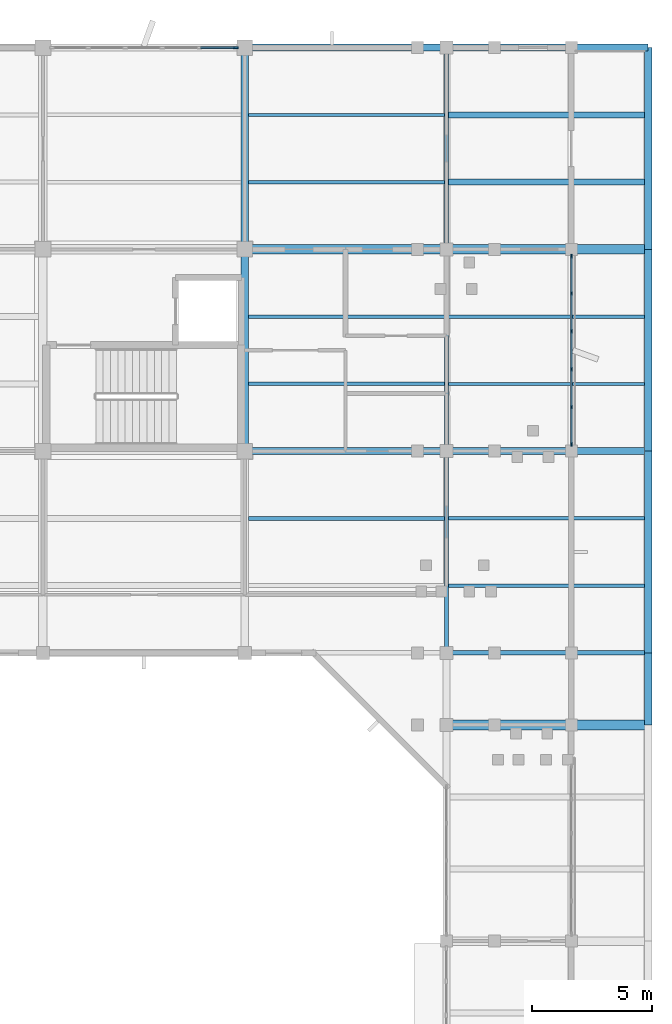
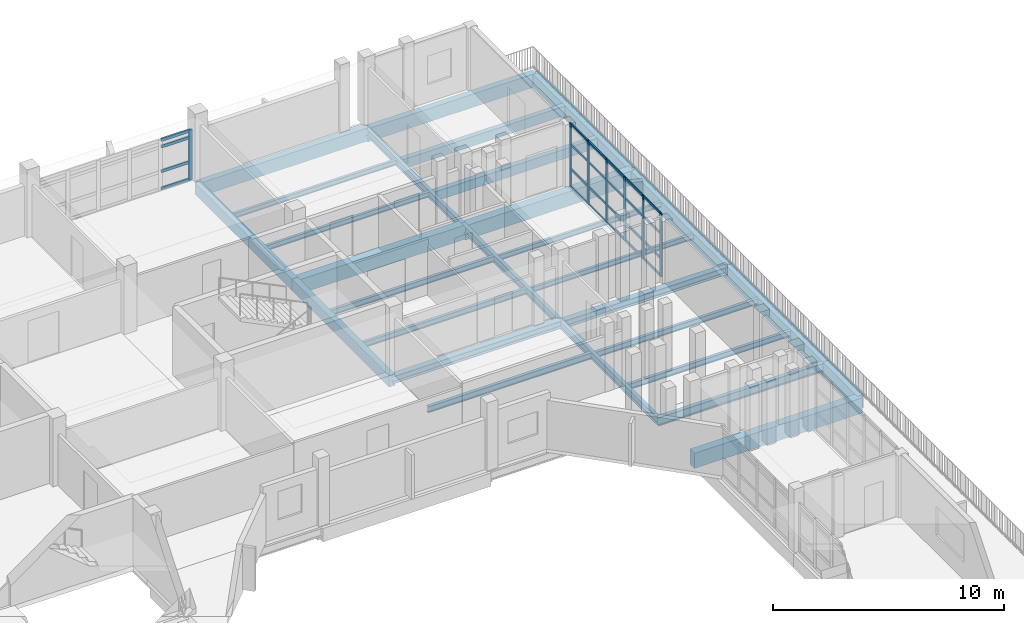
# One storey, part 22 of 51: 31 members, 28 beams, 2 elements without a shape of their own.
"""IFC4 building model written with IfcOpenShell, lengths in metres."""

from ifc_helpers import new_model, si_unit, direction, frame, origin, origin_2d, place, context, subcontext, project, spatial, rectangle, i_section, extrude, material, material_profile, profile_set, type_object, element, aggregate, save


model = new_model("IFC4")

# Units and contexts
model_context = context("Model", 3, precision=1e-05, world=origin(), true_north=direction((0.0, 1.0)))
body_context = subcontext(model_context, "Body", "Model", "MODEL_VIEW")
ifc_project = project(units=[si_unit("LENGTHUNIT", "METRE"), si_unit("AREAUNIT", "SQUARE_METRE"), si_unit("VOLUMEUNIT", "CUBIC_METRE"), si_unit("PLANEANGLEUNIT", "RADIAN"), si_unit("MASSUNIT", "GRAM", prefix="KILO")], contexts=[model_context])

# Site, building, storey
site_placement = place(None, origin())
site = spatial("IfcSite", under=ifc_project, at=site_placement, CompositionType="ELEMENT")
building_placement = place(site_placement, origin())
building = spatial("IfcBuilding", under=site, at=building_placement, Name="Vanh Quang Courtyard School", CompositionType="ELEMENT")
storey_placement = place(building_placement, frame((0.0, 0.0, 11.39990234375)))
storey = spatial("IfcBuildingStorey", under=building, at=storey_placement, Name="L03", CompositionType="ELEMENT", Elevation=11.39990234375)

# Beams
ifc_material_1 = material(Name="Concrete C35/45", Category="concrete")
ifc_material_profile_1 = material_profile(ifc_material_1, rectangle(XDim=0.300048828125, YDim=0.60009765625, at=origin_2d()), Name="RC-BM 300x600")
ifc_profile_set_1 = profile_set([ifc_material_profile_1], Name="Concrete C35/45")
beam_type_1 = type_object("IfcBeamType", Name="BM-RC-300x600", PredefinedType="BEAM", material=ifc_profile_set_1)
beam_1_placement = place(storey_placement, frame((102.60009765625, 79.800048828125, -0.559814453125), z_axis=(0.0, 1.0, 0.0), x_axis=(-1.0, 0.0, 0.0)))
element("IfcBeam", 1, at=beam_1_placement, inside=storey, type_object=beam_type_1, Name="Beam B-06 (L03)", PredefinedType="BEAM", context=body_context, shape_type="SweptSolid", body=[
    extrude(rectangle(XDim=0.300048828125, YDim=0.60009765625, at=origin_2d()), origin(), (0.0, 0.0, 1.0), 8.39990234375),
])
beam_2_placement = place(storey_placement, frame((102.60009765625, 88.199951171875, -0.559814453125), z_axis=(0.0, 1.0, 0.0), x_axis=(-1.0, 0.0, 0.0)))
element("IfcBeam", 2, at=beam_2_placement, inside=storey, type_object=beam_type_1, Name="Beam B-06 (L03)", PredefinedType="BEAM", context=body_context, shape_type="SweptSolid", body=[
    extrude(rectangle(XDim=0.300048828125, YDim=0.60009765625, at=origin_2d()), origin(), (0.0, 0.0, 1.0), 8.400146484375),
])
ifc_material_profile_2 = material_profile(ifc_material_1, rectangle(XDim=0.39990234375, YDim=0.75, at=origin_2d()), Name="RC-BM 400x750")
ifc_profile_set_2 = profile_set([ifc_material_profile_2], Name="Concrete C35/45")
beam_type_2 = type_object("IfcBeamType", Name="BM-RC-400x750", PredefinedType="BEAM", material=ifc_profile_set_2)
for number, where, z_axis, x_axis, name in (
    (3, (102.60009765625, 88.199951171875, -0.635009765625), (1.0, 0.0, 0.0), (0.0, 1.0, 0.0), "Beam B-03 (L03)"),
    (4, (111.0, 88.199951171875, -0.69482421875), (1.0, 0.0, 0.0), (0.0, 1.0, 0.0), "Beam B-03 (L03)"),
):
    element("IfcBeam", number, at=place(storey_placement, frame(where, z_axis=z_axis, x_axis=x_axis)), inside=storey, type_object=beam_type_2, Name=name, PredefinedType="BEAM", context=body_context, shape_type="SweptSolid", body=[
        extrude(rectangle(XDim=0.39990234375, YDim=0.75, at=origin_2d()), origin(), (0.0, 0.0, 1.0), 8.39990234375),
    ])
ifc_material_profile_3 = material_profile(ifc_material_1, rectangle(XDim=0.39990234375, YDim=0.800048828125, at=origin_2d()), Name="RC-BM 400x800")
ifc_profile_set_3 = profile_set([ifc_material_profile_3], Name="Concrete C35/45")
beam_type_3 = type_object("IfcBeamType", Name="BM-RC-400x800", PredefinedType="BEAM", material=ifc_profile_set_3)
beam_3_placement = place(storey_placement, frame((111.0, 68.39990234375, -0.719970703125), z_axis=(1.0, 0.0, 0.0), x_axis=(0.0, 1.0, 0.0)))
element("IfcBeam", 5, at=beam_3_placement, inside=storey, type_object=beam_type_3, Name="Beam B-02 (L03)", PredefinedType="BEAM", context=body_context, shape_type="SweptSolid", body=[
    extrude(rectangle(XDim=0.39990234375, YDim=0.800048828125, at=origin_2d()), origin(), (0.0, 0.0, 1.0), 8.39990234375),
])
ifc_material_profile_4 = material_profile(ifc_material_1, rectangle(XDim=0.300048828125, YDim=0.699951171875, at=origin_2d()), Name="RC-SP 300x700")
ifc_profile_set_4 = profile_set([ifc_material_profile_4], Name="Concrete C35/45")
beam_type_4 = type_object("IfcBeamType", Name="BM-SP-300x700", PredefinedType="SPANDREL", material=ifc_profile_set_4)
for number, where, z_axis, x_axis, name in (
    (6, (102.60009765625, 96.60009765625, -0.60986328125), (1.0, 0.0, 0.0), (0.0, 1.0, 0.0), "Beam BS-01 (L03)"),
    (7, (111.0, 96.60009765625, -0.669921875), (1.0, 0.0, 0.0), (0.0, 1.0, 0.0), "Beam BS-01 (L03)"),
):
    element("IfcBeam", number, at=place(storey_placement, frame(where, z_axis=z_axis, x_axis=x_axis)), inside=storey, type_object=beam_type_4, Name=name, PredefinedType="SPANDREL", context=body_context, shape_type="SweptSolid", body=[
        extrude(rectangle(XDim=0.300048828125, YDim=0.699951171875, at=origin_2d()), origin(), (0.0, 0.0, 1.0), 8.39990234375),
    ])
beam_4_placement = place(storey_placement, frame((119.39990234375, 68.39990234375, -0.669921875), z_axis=(0.0, 1.0, 0.0), x_axis=(-1.0, 0.0, 0.0)))
element("IfcBeam", 8, at=beam_4_placement, inside=storey, type_object=beam_type_4, Name="Beam BS-01 (L03)", PredefinedType="SPANDREL", context=body_context, shape_type="SweptSolid", body=[
    extrude(rectangle(XDim=0.300048828125, YDim=0.699951171875, at=origin_2d()), origin(), (0.0, 0.0, 1.0), 3.0),
])
beam_5_placement = place(storey_placement, frame((119.39990234375, 71.39990234375, -0.669921875), z_axis=(0.0, 1.0, 0.0), x_axis=(-1.0, 0.0, 0.0)))
element("IfcBeam", 9, at=beam_5_placement, inside=storey, type_object=beam_type_4, Name="Beam BS-01 (L03)", PredefinedType="SPANDREL", context=body_context, shape_type="SweptSolid", body=[
    extrude(rectangle(XDim=0.300048828125, YDim=0.699951171875, at=origin_2d()), origin(), (0.0, 0.0, 1.0), 8.400146484375),
])
beam_6_placement = place(storey_placement, frame((119.39990234375, 79.800048828125, -0.669921875), z_axis=(0.0, 1.0, 0.0), x_axis=(-1.0, 0.0, 0.0)))
element("IfcBeam", 10, at=beam_6_placement, inside=storey, type_object=beam_type_4, Name="Beam BS-01 (L03)", PredefinedType="SPANDREL", context=body_context, shape_type="SweptSolid", body=[
    extrude(rectangle(XDim=0.300048828125, YDim=0.699951171875, at=origin_2d()), origin(), (0.0, 0.0, 1.0), 8.39990234375),
])
beam_7_placement = place(storey_placement, frame((119.39990234375, 88.199951171875, -0.669921875), z_axis=(0.0, 1.0, 0.0), x_axis=(-1.0, 0.0, 0.0)))
element("IfcBeam", 11, at=beam_7_placement, inside=storey, type_object=beam_type_4, Name="Beam BS-01 (L03)", PredefinedType="SPANDREL", context=body_context, shape_type="SweptSolid", body=[
    extrude(rectangle(XDim=0.300048828125, YDim=0.699951171875, at=origin_2d()), origin(), (0.0, 0.0, 1.0), 8.400146484375),
])
ifc_material_2 = material(Name="Structural steel EN 10025-2 S355J2", Category="steel")
ifc_material_profile_5 = material_profile(ifc_material_2, i_section(OverallWidth=0.300048828125, OverallDepth=0.389892578125, WebThickness=0.010986328125, FlangeThickness=0.01904296875, FilletRadius=0.027099609375, at=origin_2d()), Name="HEA 400")
ifc_profile_set_5 = profile_set([ifc_material_profile_5], Name="Structural steel EN 10025-2 S355J2")
beam_type_5 = type_object("IfcBeamType", Name="BM-STL-HEA400", PredefinedType="BEAM", material=ifc_profile_set_5)
for number, where, z_axis, x_axis, name in (
    (12, (102.60009765625, 79.800048828125, -0.454833984375), (1.0, 0.0, 0.0), (0.0, 1.0, 0.0), "Beam SB-08 (L03)"),
    (13, (111.0, 79.800048828125, -0.514892578125), (1.0, 0.0, 0.0), (0.0, 1.0, 0.0), "Beam SB-08 (L03)"),
):
    element("IfcBeam", number, at=place(storey_placement, frame(where, z_axis=z_axis, x_axis=x_axis)), inside=storey, type_object=beam_type_5, Name=name, PredefinedType="BEAM", context=body_context, shape_type="SweptSolid", body=[
        extrude(i_section(OverallWidth=0.300048828125, OverallDepth=0.389892578125, WebThickness=0.010986328125, FlangeThickness=0.01904296875, FilletRadius=0.027099609375, at=origin_2d()), origin(), (0.0, 0.0, 1.0), 8.39990234375),
    ])
ifc_material_profile_6 = material_profile(ifc_material_2, i_section(OverallWidth=0.179931640625, OverallDepth=0.39990234375, WebThickness=0.008544921875, FlangeThickness=0.013427734375, FilletRadius=0.02099609375, at=origin_2d()), Name="IPE 400")
ifc_profile_set_6 = profile_set([ifc_material_profile_6], Name="Structural steel EN 10025-2 S355J2")
beam_type_6 = type_object("IfcBeamType", Name="BM-STL-IPE400", PredefinedType="BEAM", material=ifc_profile_set_6)
beam_8_placement = place(storey_placement, frame((111.0, 71.39990234375, -0.4599609375), z_axis=(0.0, 1.0, 0.0), x_axis=(-1.0, 0.0, 0.0)))
element("IfcBeam", 14, at=beam_8_placement, inside=storey, type_object=beam_type_6, Name="Beam SB-05 (L03)", PredefinedType="BEAM", context=body_context, shape_type="SweptSolid", body=[
    extrude(i_section(OverallWidth=0.179931640625, OverallDepth=0.39990234375, WebThickness=0.008544921875, FlangeThickness=0.013427734375, FilletRadius=0.02099609375, at=origin_2d()), origin(), (0.0, 0.0, 1.0), 8.400146484375),
])
beam_9_placement = place(storey_placement, frame((111.0, 79.800048828125, -0.4599609375), z_axis=(0.0, 1.0, 0.0), x_axis=(-1.0, 0.0, 0.0)))
element("IfcBeam", 15, at=beam_9_placement, inside=storey, type_object=beam_type_6, Name="Beam SB-05 (L03)", PredefinedType="BEAM", context=body_context, shape_type="SweptSolid", body=[
    extrude(i_section(OverallWidth=0.179931640625, OverallDepth=0.39990234375, WebThickness=0.008544921875, FlangeThickness=0.013427734375, FilletRadius=0.02099609375, at=origin_2d()), origin(), (0.0, 0.0, 1.0), 8.39990234375),
])
beam_10_placement = place(storey_placement, frame((111.0, 88.199951171875, -0.4599609375), z_axis=(0.0, 1.0, 0.0), x_axis=(-1.0, 0.0, 0.0)))
element("IfcBeam", 16, at=beam_10_placement, inside=storey, type_object=beam_type_6, Name="Beam SB-05 (L03)", PredefinedType="BEAM", context=body_context, shape_type="SweptSolid", body=[
    extrude(i_section(OverallWidth=0.179931640625, OverallDepth=0.39990234375, WebThickness=0.008544921875, FlangeThickness=0.013427734375, FilletRadius=0.02099609375, at=origin_2d()), origin(), (0.0, 0.0, 1.0), 8.400146484375),
])
ifc_material_profile_7 = material_profile(ifc_material_2, i_section(OverallWidth=0.18994140625, OverallDepth=0.449951171875, WebThickness=0.009521484375, FlangeThickness=0.0146484375, FilletRadius=0.02099609375, at=origin_2d()), Name="IPE 450")
ifc_profile_set_7 = profile_set([ifc_material_profile_7], Name="Structural steel EN 10025-2 S355J2")
beam_type_7 = type_object("IfcBeamType", Name="BM-STL-IPE450", PredefinedType="BEAM", material=ifc_profile_set_7)
beam_11_placement = place(storey_placement, frame((111.0, 71.39990234375, -0.544921875), z_axis=(1.0, 0.0, 0.0), x_axis=(0.0, 1.0, 0.0)))
element("IfcBeam", 17, at=beam_11_placement, inside=storey, type_object=beam_type_7, Name="Beam SB-04 (L03)", PredefinedType="BEAM", context=body_context, shape_type="SweptSolid", body=[
    extrude(i_section(OverallWidth=0.18994140625, OverallDepth=0.449951171875, WebThickness=0.009521484375, FlangeThickness=0.0146484375, FilletRadius=0.02099609375, at=origin_2d()), origin(), (0.0, 0.0, 1.0), 8.39990234375),
])

# Curtain wall, members
ifc_material_3 = material(Name="Thermally broken aluminium unitised curtain wall", Category="aluminium")
curtain_wall_type_1 = type_object("IfcCurtainWallType", Name="CW-SYS-58", PredefinedType="NOTDEFINED", material=ifc_material_3)
curtain_wall_1_placement = place(storey_placement, origin())
curtain_wall_1 = element("IfcCurtainWall", 18, at=curtain_wall_1_placement, inside=storey, type_object=curtain_wall_type_1, Name="Curtain Wall CW-58 (L03)", PredefinedType="NOTDEFINED")
ifc_material_4 = material(Name="Anodised aluminium 6063-T6", Category="aluminium")
ifc_material_profile_8 = material_profile(ifc_material_4, rectangle(XDim=0.06005859375, YDim=0.159912109375, at=origin_2d()), Name="ALU-MUL 60x160")
ifc_profile_set_8 = profile_set([ifc_material_profile_8], Name="Anodised aluminium 6063-T6")
member_type_1 = type_object("IfcMemberType", Name="CW-MUL-60x160", PredefinedType="MULLION", material=ifc_profile_set_8)
member_1_placement = place(storey_placement, frame((116.199951171875, 87.912109375, 0.0), z_axis=(0.0, 0.0, 1.0), x_axis=(1.0, 0.0, 0.0)))
member_1 = element("IfcMember", 19, at=member_1_placement, type_object=member_type_1, Name="CW-58 mullion 1", PredefinedType="MULLION", context=body_context, shape_type="SweptSolid", body=[
    extrude(rectangle(XDim=0.06005859375, YDim=0.159912109375, at=origin_2d()), origin(), (0.0, 0.0, 1.0), 3.340087890625),
])
member_2_placement = place(storey_placement, frame((116.199951171875, 86.365234375, 0.0), z_axis=(0.0, 0.0, 1.0), x_axis=(1.0, 0.0, 0.0)))
member_2 = element("IfcMember", 20, at=member_2_placement, type_object=member_type_1, Name="CW-58 mullion 2", PredefinedType="MULLION", context=body_context, shape_type="SweptSolid", body=[
    extrude(rectangle(XDim=0.06005859375, YDim=0.159912109375, at=origin_2d()), origin(), (0.0, 0.0, 1.0), 3.340087890625),
])
member_3_placement = place(storey_placement, frame((116.199951171875, 84.788330078125, 0.0), z_axis=(0.0, 0.0, 1.0), x_axis=(1.0, 0.0, 0.0)))
member_3 = element("IfcMember", 21, at=member_3_placement, type_object=member_type_1, Name="CW-58 mullion 3", PredefinedType="MULLION", context=body_context, shape_type="SweptSolid", body=[
    extrude(rectangle(XDim=0.06005859375, YDim=0.159912109375, at=origin_2d()), origin(), (0.0, 0.0, 1.0), 3.340087890625),
])
member_4_placement = place(storey_placement, frame((116.199951171875, 83.211669921875, 0.0), z_axis=(0.0, 0.0, 1.0), x_axis=(1.0, 0.0, 0.0)))
member_4 = element("IfcMember", 22, at=member_4_placement, type_object=member_type_1, Name="CW-58 mullion 4", PredefinedType="MULLION", context=body_context, shape_type="SweptSolid", body=[
    extrude(rectangle(XDim=0.06005859375, YDim=0.159912109375, at=origin_2d()), origin(), (0.0, 0.0, 1.0), 3.340087890625),
])
member_5_placement = place(storey_placement, frame((116.199951171875, 81.634765625, 0.0), z_axis=(0.0, 0.0, 1.0), x_axis=(1.0, 0.0, 0.0)))
member_5 = element("IfcMember", 23, at=member_5_placement, type_object=member_type_1, Name="CW-58 mullion 5", PredefinedType="MULLION", context=body_context, shape_type="SweptSolid", body=[
    extrude(rectangle(XDim=0.06005859375, YDim=0.159912109375, at=origin_2d()), origin(), (0.0, 0.0, 1.0), 3.340087890625),
])
member_6_placement = place(storey_placement, frame((116.199951171875, 80.087890625, 0.0), z_axis=(0.0, 0.0, 1.0), x_axis=(1.0, 0.0, 0.0)))
member_6 = element("IfcMember", 24, at=member_6_placement, type_object=member_type_1, Name="CW-58 mullion 6", PredefinedType="MULLION", context=body_context, shape_type="SweptSolid", body=[
    extrude(rectangle(XDim=0.06005859375, YDim=0.159912109375, at=origin_2d()), origin(), (0.0, 0.0, 1.0), 3.340087890625),
])

# Curtain wall, member
curtain_wall_type_2 = type_object("IfcCurtainWallType", Name="CW-SYS-21", PredefinedType="NOTDEFINED", material=ifc_material_3)
curtain_wall_2_placement = place(storey_placement, origin())
curtain_wall_2 = element("IfcCurtainWall", 25, at=curtain_wall_2_placement, inside=storey, type_object=curtain_wall_type_2, Name="Curtain Wall CW-21 (L03)", PredefinedType="NOTDEFINED")
ifc_material_profile_9 = material_profile(ifc_material_4, rectangle(XDim=0.080078125, YDim=0.199951171875, at=origin_2d()), Name="ALU-MUL 80x200")
ifc_profile_set_9 = profile_set([ifc_material_profile_9], Name="Anodised aluminium 6063-T6")
member_type_2 = type_object("IfcMemberType", Name="CW-MUL-80x200", PredefinedType="MULLION", material=ifc_profile_set_9)
member_7_placement = place(storey_placement, frame((102.22705078125, 96.60009765625, 0.0), z_axis=(0.0, 0.0, 1.0), x_axis=(0.0, 1.0, 0.0)))
member_7 = element("IfcMember", 26, at=member_7_placement, type_object=member_type_2, Name="CW-21 mullion 6", PredefinedType="MULLION", context=body_context, shape_type="SweptSolid", body=[
    extrude(rectangle(XDim=0.080078125, YDim=0.199951171875, at=origin_2d()), origin(), (0.0, 0.0, 1.0), 2.64013671875),
])

# Member
ifc_material_profile_10 = material_profile(ifc_material_4, rectangle(XDim=0.06005859375, YDim=0.1201171875, at=origin_2d()), Name="ALU-TRN 60x120")
ifc_profile_set_10 = profile_set([ifc_material_profile_10], Name="Anodised aluminium 6063-T6")
member_type_3 = type_object("IfcMemberType", Name="CW-TRN-60x120", PredefinedType="USERDEFINED", material=ifc_profile_set_10)
member_8_placement = place(storey_placement, frame((116.199951171875, 87.882080078125, 0.030029296875), z_axis=(0.0, -1.0, 0.0), x_axis=(1.0, 0.0, 0.0)))
member_8 = element("IfcMember", 27, at=member_8_placement, type_object=member_type_3, Name="CW-58 transom 1.1", ObjectType="TRANSOM", PredefinedType="USERDEFINED", context=body_context, shape_type="SweptSolid", body=[
    extrude(rectangle(XDim=0.06005859375, YDim=0.1201171875, at=origin_2d()), origin(), (0.0, 0.0, 1.0), 1.48681640625),
])

member_9_placement = place(storey_placement, frame((116.199951171875, 87.882080078125, 0.9501953125), z_axis=(0.0, -1.0, 0.0), x_axis=(1.0, 0.0, 0.0)))
member_9 = element("IfcMember", 28, at=member_9_placement, type_object=member_type_3, Name="CW-58 transom 1.2", ObjectType="TRANSOM", PredefinedType="USERDEFINED", context=body_context, shape_type="SweptSolid", body=[
    extrude(rectangle(XDim=0.06005859375, YDim=0.1201171875, at=origin_2d()), origin(), (0.0, 0.0, 1.0), 1.48681640625),
])

member_10_placement = place(storey_placement, frame((116.199951171875, 87.882080078125, 2.25), z_axis=(0.0, -1.0, 0.0), x_axis=(1.0, 0.0, 0.0)))
member_10 = element("IfcMember", 29, at=member_10_placement, type_object=member_type_3, Name="CW-58 transom 1.3", ObjectType="TRANSOM", PredefinedType="USERDEFINED", context=body_context, shape_type="SweptSolid", body=[
    extrude(rectangle(XDim=0.06005859375, YDim=0.1201171875, at=origin_2d()), origin(), (0.0, 0.0, 1.0), 1.48681640625),
])

member_11_placement = place(storey_placement, frame((116.199951171875, 87.882080078125, 3.31005859375), z_axis=(0.0, -1.0, 0.0), x_axis=(1.0, 0.0, 0.0)))
member_11 = element("IfcMember", 30, at=member_11_placement, type_object=member_type_3, Name="CW-58 transom 1.4", ObjectType="TRANSOM", PredefinedType="USERDEFINED", context=body_context, shape_type="SweptSolid", body=[
    extrude(rectangle(XDim=0.06005859375, YDim=0.1201171875, at=origin_2d()), origin(), (0.0, 0.0, 1.0), 1.48681640625),
])

member_12_placement = place(storey_placement, frame((116.199951171875, 86.335205078125, 0.030029296875), z_axis=(0.0, -1.0, 0.0), x_axis=(1.0, 0.0, 0.0)))
member_12 = element("IfcMember", 31, at=member_12_placement, type_object=member_type_3, Name="CW-58 transom 2.1", ObjectType="TRANSOM", PredefinedType="USERDEFINED", context=body_context, shape_type="SweptSolid", body=[
    extrude(rectangle(XDim=0.06005859375, YDim=0.1201171875, at=origin_2d()), origin(), (0.0, 0.0, 1.0), 1.516845703125),
])

member_13_placement = place(storey_placement, frame((116.199951171875, 86.335205078125, 0.9501953125), z_axis=(0.0, -1.0, 0.0), x_axis=(1.0, 0.0, 0.0)))
member_13 = element("IfcMember", 32, at=member_13_placement, type_object=member_type_3, Name="CW-58 transom 2.2", ObjectType="TRANSOM", PredefinedType="USERDEFINED", context=body_context, shape_type="SweptSolid", body=[
    extrude(rectangle(XDim=0.06005859375, YDim=0.1201171875, at=origin_2d()), origin(), (0.0, 0.0, 1.0), 1.516845703125),
])

member_14_placement = place(storey_placement, frame((116.199951171875, 86.335205078125, 2.25), z_axis=(0.0, -1.0, 0.0), x_axis=(1.0, 0.0, 0.0)))
member_14 = element("IfcMember", 33, at=member_14_placement, type_object=member_type_3, Name="CW-58 transom 2.3", ObjectType="TRANSOM", PredefinedType="USERDEFINED", context=body_context, shape_type="SweptSolid", body=[
    extrude(rectangle(XDim=0.06005859375, YDim=0.1201171875, at=origin_2d()), origin(), (0.0, 0.0, 1.0), 1.516845703125),
])

member_15_placement = place(storey_placement, frame((116.199951171875, 86.335205078125, 3.31005859375), z_axis=(0.0, -1.0, 0.0), x_axis=(1.0, 0.0, 0.0)))
member_15 = element("IfcMember", 34, at=member_15_placement, type_object=member_type_3, Name="CW-58 transom 2.4", ObjectType="TRANSOM", PredefinedType="USERDEFINED", context=body_context, shape_type="SweptSolid", body=[
    extrude(rectangle(XDim=0.06005859375, YDim=0.1201171875, at=origin_2d()), origin(), (0.0, 0.0, 1.0), 1.516845703125),
])

member_16_placement = place(storey_placement, frame((116.199951171875, 84.75830078125, 0.030029296875), z_axis=(0.0, -1.0, 0.0), x_axis=(1.0, 0.0, 0.0)))
member_16 = element("IfcMember", 35, at=member_16_placement, type_object=member_type_3, Name="CW-58 transom 3.1", ObjectType="TRANSOM", PredefinedType="USERDEFINED", context=body_context, shape_type="SweptSolid", body=[
    extrude(rectangle(XDim=0.06005859375, YDim=0.1201171875, at=origin_2d()), origin(), (0.0, 0.0, 1.0), 1.5166015625),
])

member_17_placement = place(storey_placement, frame((116.199951171875, 84.75830078125, 0.9501953125), z_axis=(0.0, -1.0, 0.0), x_axis=(1.0, 0.0, 0.0)))
member_17 = element("IfcMember", 36, at=member_17_placement, type_object=member_type_3, Name="CW-58 transom 3.2", ObjectType="TRANSOM", PredefinedType="USERDEFINED", context=body_context, shape_type="SweptSolid", body=[
    extrude(rectangle(XDim=0.06005859375, YDim=0.1201171875, at=origin_2d()), origin(), (0.0, 0.0, 1.0), 1.5166015625),
])

member_18_placement = place(storey_placement, frame((116.199951171875, 84.75830078125, 2.25), z_axis=(0.0, -1.0, 0.0), x_axis=(1.0, 0.0, 0.0)))
member_18 = element("IfcMember", 37, at=member_18_placement, type_object=member_type_3, Name="CW-58 transom 3.3", ObjectType="TRANSOM", PredefinedType="USERDEFINED", context=body_context, shape_type="SweptSolid", body=[
    extrude(rectangle(XDim=0.06005859375, YDim=0.1201171875, at=origin_2d()), origin(), (0.0, 0.0, 1.0), 1.5166015625),
])

member_19_placement = place(storey_placement, frame((116.199951171875, 84.75830078125, 3.31005859375), z_axis=(0.0, -1.0, 0.0), x_axis=(1.0, 0.0, 0.0)))
member_19 = element("IfcMember", 38, at=member_19_placement, type_object=member_type_3, Name="CW-58 transom 3.4", ObjectType="TRANSOM", PredefinedType="USERDEFINED", context=body_context, shape_type="SweptSolid", body=[
    extrude(rectangle(XDim=0.06005859375, YDim=0.1201171875, at=origin_2d()), origin(), (0.0, 0.0, 1.0), 1.5166015625),
])

member_20_placement = place(storey_placement, frame((116.199951171875, 83.181640625, 0.030029296875), z_axis=(0.0, -1.0, 0.0), x_axis=(1.0, 0.0, 0.0)))
member_20 = element("IfcMember", 39, at=member_20_placement, type_object=member_type_3, Name="CW-58 transom 4.1", ObjectType="TRANSOM", PredefinedType="USERDEFINED", context=body_context, shape_type="SweptSolid", body=[
    extrude(rectangle(XDim=0.06005859375, YDim=0.1201171875, at=origin_2d()), origin(), (0.0, 0.0, 1.0), 1.516845703125),
])

member_21_placement = place(storey_placement, frame((116.199951171875, 83.181640625, 0.9501953125), z_axis=(0.0, -1.0, 0.0), x_axis=(1.0, 0.0, 0.0)))
member_21 = element("IfcMember", 40, at=member_21_placement, type_object=member_type_3, Name="CW-58 transom 4.2", ObjectType="TRANSOM", PredefinedType="USERDEFINED", context=body_context, shape_type="SweptSolid", body=[
    extrude(rectangle(XDim=0.06005859375, YDim=0.1201171875, at=origin_2d()), origin(), (0.0, 0.0, 1.0), 1.516845703125),
])

member_22_placement = place(storey_placement, frame((116.199951171875, 83.181640625, 2.25), z_axis=(0.0, -1.0, 0.0), x_axis=(1.0, 0.0, 0.0)))
member_22 = element("IfcMember", 41, at=member_22_placement, type_object=member_type_3, Name="CW-58 transom 4.3", ObjectType="TRANSOM", PredefinedType="USERDEFINED", context=body_context, shape_type="SweptSolid", body=[
    extrude(rectangle(XDim=0.06005859375, YDim=0.1201171875, at=origin_2d()), origin(), (0.0, 0.0, 1.0), 1.516845703125),
])

member_23_placement = place(storey_placement, frame((116.199951171875, 83.181640625, 3.31005859375), z_axis=(0.0, -1.0, 0.0), x_axis=(1.0, 0.0, 0.0)))
member_23 = element("IfcMember", 42, at=member_23_placement, type_object=member_type_3, Name="CW-58 transom 4.4", ObjectType="TRANSOM", PredefinedType="USERDEFINED", context=body_context, shape_type="SweptSolid", body=[
    extrude(rectangle(XDim=0.06005859375, YDim=0.1201171875, at=origin_2d()), origin(), (0.0, 0.0, 1.0), 1.516845703125),
])

member_24_placement = place(storey_placement, frame((116.199951171875, 81.604736328125, 0.030029296875), z_axis=(0.0, -1.0, 0.0), x_axis=(1.0, 0.0, 0.0)))
member_24 = element("IfcMember", 43, at=member_24_placement, type_object=member_type_3, Name="CW-58 transom 5.1", ObjectType="TRANSOM", PredefinedType="USERDEFINED", context=body_context, shape_type="SweptSolid", body=[
    extrude(rectangle(XDim=0.06005859375, YDim=0.1201171875, at=origin_2d()), origin(), (0.0, 0.0, 1.0), 1.48681640625),
])

member_25_placement = place(storey_placement, frame((116.199951171875, 81.604736328125, 0.9501953125), z_axis=(0.0, -1.0, 0.0), x_axis=(1.0, 0.0, 0.0)))
member_25 = element("IfcMember", 44, at=member_25_placement, type_object=member_type_3, Name="CW-58 transom 5.2", ObjectType="TRANSOM", PredefinedType="USERDEFINED", context=body_context, shape_type="SweptSolid", body=[
    extrude(rectangle(XDim=0.06005859375, YDim=0.1201171875, at=origin_2d()), origin(), (0.0, 0.0, 1.0), 1.48681640625),
])

member_26_placement = place(storey_placement, frame((116.199951171875, 81.604736328125, 2.25), z_axis=(0.0, -1.0, 0.0), x_axis=(1.0, 0.0, 0.0)))
member_26 = element("IfcMember", 45, at=member_26_placement, type_object=member_type_3, Name="CW-58 transom 5.3", ObjectType="TRANSOM", PredefinedType="USERDEFINED", context=body_context, shape_type="SweptSolid", body=[
    extrude(rectangle(XDim=0.06005859375, YDim=0.1201171875, at=origin_2d()), origin(), (0.0, 0.0, 1.0), 1.48681640625),
])

member_27_placement = place(storey_placement, frame((116.199951171875, 81.604736328125, 3.31005859375), z_axis=(0.0, -1.0, 0.0), x_axis=(1.0, 0.0, 0.0)))
member_27 = element("IfcMember", 46, at=member_27_placement, type_object=member_type_3, Name="CW-58 transom 5.4", ObjectType="TRANSOM", PredefinedType="USERDEFINED", context=body_context, shape_type="SweptSolid", body=[
    extrude(rectangle(XDim=0.06005859375, YDim=0.1201171875, at=origin_2d()), origin(), (0.0, 0.0, 1.0), 1.48681640625),
])

aggregate(curtain_wall_1, [member_1, member_2, member_3, member_4, member_5, member_6, member_8, member_9, member_10, member_11, member_12, member_13, member_14, member_15, member_16, member_17, member_18, member_19, member_20, member_21, member_22, member_23, member_24, member_25, member_26, member_27])

ifc_material_profile_11 = material_profile(ifc_material_4, rectangle(XDim=0.080078125, YDim=0.14990234375, at=origin_2d()), Name="ALU-TRN 80x150")
ifc_profile_set_11 = profile_set([ifc_material_profile_11], Name="Anodised aluminium 6063-T6")
member_type_4 = type_object("IfcMemberType", Name="CW-TRN-80x150", PredefinedType="USERDEFINED", material=ifc_profile_set_11)
member_28_placement = place(storey_placement, frame((100.76025390625, 96.60009765625, 0.0400390625), z_axis=(1.0, 0.0, 0.0), x_axis=(0.0, 1.0, 0.0)))
member_28 = element("IfcMember", 47, at=member_28_placement, type_object=member_type_4, Name="CW-21 transom 5.1", ObjectType="TRANSOM", PredefinedType="USERDEFINED", context=body_context, shape_type="SweptSolid", body=[
    extrude(rectangle(XDim=0.080078125, YDim=0.14990234375, at=origin_2d()), origin(), (0.0, 0.0, 1.0), 1.4267578125),
])

member_29_placement = place(storey_placement, frame((100.76025390625, 96.60009765625, 0.9501953125), z_axis=(1.0, 0.0, 0.0), x_axis=(0.0, 1.0, 0.0)))
member_29 = element("IfcMember", 48, at=member_29_placement, type_object=member_type_4, Name="CW-21 transom 5.2", ObjectType="TRANSOM", PredefinedType="USERDEFINED", context=body_context, shape_type="SweptSolid", body=[
    extrude(rectangle(XDim=0.080078125, YDim=0.14990234375, at=origin_2d()), origin(), (0.0, 0.0, 1.0), 1.4267578125),
])

member_30_placement = place(storey_placement, frame((100.76025390625, 96.60009765625, 2.25), z_axis=(1.0, 0.0, 0.0), x_axis=(0.0, 1.0, 0.0)))
member_30 = element("IfcMember", 49, at=member_30_placement, type_object=member_type_4, Name="CW-21 transom 5.3", ObjectType="TRANSOM", PredefinedType="USERDEFINED", context=body_context, shape_type="SweptSolid", body=[
    extrude(rectangle(XDim=0.080078125, YDim=0.14990234375, at=origin_2d()), origin(), (0.0, 0.0, 1.0), 1.4267578125),
])

member_31_placement = place(storey_placement, frame((100.76025390625, 96.60009765625, 2.60009765625), z_axis=(1.0, 0.0, 0.0), x_axis=(0.0, 1.0, 0.0)))
member_31 = element("IfcMember", 50, at=member_31_placement, type_object=member_type_4, Name="CW-21 transom 5.4", ObjectType="TRANSOM", PredefinedType="USERDEFINED", context=body_context, shape_type="SweptSolid", body=[
    extrude(rectangle(XDim=0.080078125, YDim=0.14990234375, at=origin_2d()), origin(), (0.0, 0.0, 1.0), 1.4267578125),
])

aggregate(curtain_wall_2, [member_7, member_28, member_29, member_30, member_31])

# Beams
ifc_material_5 = material(Name="Concrete C30/37", Category="concrete")
ifc_material_profile_12 = material_profile(ifc_material_5, rectangle(XDim=0.25, YDim=0.5, at=origin_2d()), Name="RC-JST 250x500")
ifc_profile_set_12 = profile_set([ifc_material_profile_12], Name="Concrete C30/37")
beam_type_8 = type_object("IfcBeamType", Name="JST-RC-250x500", PredefinedType="JOIST", material=ifc_profile_set_12)
for number, where, z_axis, x_axis, name in (
    (51, (111.090087890625, 91.0, -0.56982421875), (1.0, 0.0, 0.0), (0.0, 1.0, 0.0), "Beam BJ-01 (L03)"),
    (52, (111.090087890625, 93.800048828125, -0.56982421875), (1.0, 0.0, 0.0), (0.0, 1.0, 0.0), "Beam BJ-01 (L03)"),
):
    element("IfcBeam", number, at=place(storey_placement, frame(where, z_axis=z_axis, x_axis=x_axis)), inside=storey, type_object=beam_type_8, Name=name, PredefinedType="JOIST", context=body_context, shape_type="SweptSolid", body=[
        extrude(rectangle(XDim=0.25, YDim=0.5, at=origin_2d()), origin(), (0.0, 0.0, 1.0), 8.159912109375),
    ])
ifc_material_profile_13 = material_profile(ifc_material_2, i_section(OverallWidth=0.135009765625, OverallDepth=0.27001953125, WebThickness=0.006591796875, FlangeThickness=0.01025390625, FilletRadius=0.014892578125, at=origin_2d()), Name="IPE 270")
ifc_profile_set_13 = profile_set([ifc_material_profile_13], Name="Structural steel EN 10025-2 S355J2")
beam_type_9 = type_object("IfcBeamType", Name="JST-STL-IPE270", PredefinedType="JOIST", material=ifc_profile_set_13)
for number, where, z_axis, x_axis, name in (
    (53, (102.75, 91.0, -0.39501953125), (1.0, 0.0, 0.0), (0.0, 1.0, 0.0), "Beam SJ-03 (L03)"),
    (54, (102.75, 93.800048828125, -0.39501953125), (1.0, 0.0, 0.0), (0.0, 1.0, 0.0), "Beam SJ-03 (L03)"),
    (55, (111.090087890625, 82.60009765625, -0.454833984375), (1.0, 0.0, 0.0), (0.0, 1.0, 0.0), "Beam SJ-03 (L03)"),
    (56, (111.090087890625, 85.39990234375, -0.454833984375), (1.0, 0.0, 0.0), (0.0, 1.0, 0.0), "Beam SJ-03 (L03)"),
):
    element("IfcBeam", number, at=place(storey_placement, frame(where, z_axis=z_axis, x_axis=x_axis)), inside=storey, type_object=beam_type_9, Name=name, PredefinedType="JOIST", context=body_context, shape_type="SweptSolid", body=[
        extrude(i_section(OverallWidth=0.135009765625, OverallDepth=0.27001953125, WebThickness=0.006591796875, FlangeThickness=0.01025390625, FilletRadius=0.014892578125, at=origin_2d()), origin(), (0.0, 0.0, 1.0), 8.159912109375),
    ])
ifc_material_profile_14 = material_profile(ifc_material_2, i_section(OverallWidth=0.14990234375, OverallDepth=0.300048828125, WebThickness=0.007080078125, FlangeThickness=0.0107421875, FilletRadius=0.014892578125, at=origin_2d()), Name="IPE 300")
ifc_profile_set_14 = profile_set([ifc_material_profile_14], Name="Structural steel EN 10025-2 S355J2")
beam_type_10 = type_object("IfcBeamType", Name="JST-STL-IPE300", PredefinedType="JOIST", material=ifc_profile_set_14)
for number, where, z_axis, x_axis, name in (
    (57, (102.75, 82.60009765625, -0.409912109375), (1.0, 0.0, 0.0), (0.0, 1.0, 0.0), "Beam SJ-02 (L03)"),
    (58, (102.75, 85.39990234375, -0.409912109375), (1.0, 0.0, 0.0), (0.0, 1.0, 0.0), "Beam SJ-02 (L03)"),
    (59, (111.090087890625, 74.199951171875, -0.469970703125), (1.0, 0.0, 0.0), (0.0, 1.0, 0.0), "Beam SJ-02 (L03)"),
    (60, (111.090087890625, 77.0, -0.469970703125), (1.0, 0.0, 0.0), (0.0, 1.0, 0.0), "Beam SJ-02 (L03)"),
):
    element("IfcBeam", number, at=place(storey_placement, frame(where, z_axis=z_axis, x_axis=x_axis)), inside=storey, type_object=beam_type_10, Name=name, PredefinedType="JOIST", context=body_context, shape_type="SweptSolid", body=[
        extrude(i_section(OverallWidth=0.14990234375, OverallDepth=0.300048828125, WebThickness=0.007080078125, FlangeThickness=0.0107421875, FilletRadius=0.014892578125, at=origin_2d()), origin(), (0.0, 0.0, 1.0), 8.159912109375),
    ])
ifc_material_profile_15 = material_profile(ifc_material_2, i_section(OverallWidth=0.159912109375, OverallDepth=0.330078125, WebThickness=0.007568359375, FlangeThickness=0.011474609375, FilletRadius=0.01806640625, at=origin_2d()), Name="IPE 330")
ifc_profile_set_15 = profile_set([ifc_material_profile_15], Name="Structural steel EN 10025-2 S355J2")
beam_type_11 = type_object("IfcBeamType", Name="JST-STL-IPE330", PredefinedType="JOIST", material=ifc_profile_set_15)
beam_12_placement = place(storey_placement, frame((102.75, 77.0, -0.4248046875), z_axis=(1.0, 0.0, 0.0), x_axis=(0.0, 1.0, 0.0)))
element("IfcBeam", 61, at=beam_12_placement, inside=storey, type_object=beam_type_11, Name="Beam SJ-01 (L03)", PredefinedType="JOIST", context=body_context, shape_type="SweptSolid", body=[
    extrude(i_section(OverallWidth=0.159912109375, OverallDepth=0.330078125, WebThickness=0.007568359375, FlangeThickness=0.011474609375, FilletRadius=0.01806640625, at=origin_2d()), origin(), (0.0, 0.0, 1.0), 8.159912109375),
])

save(model, "model.ifc")
